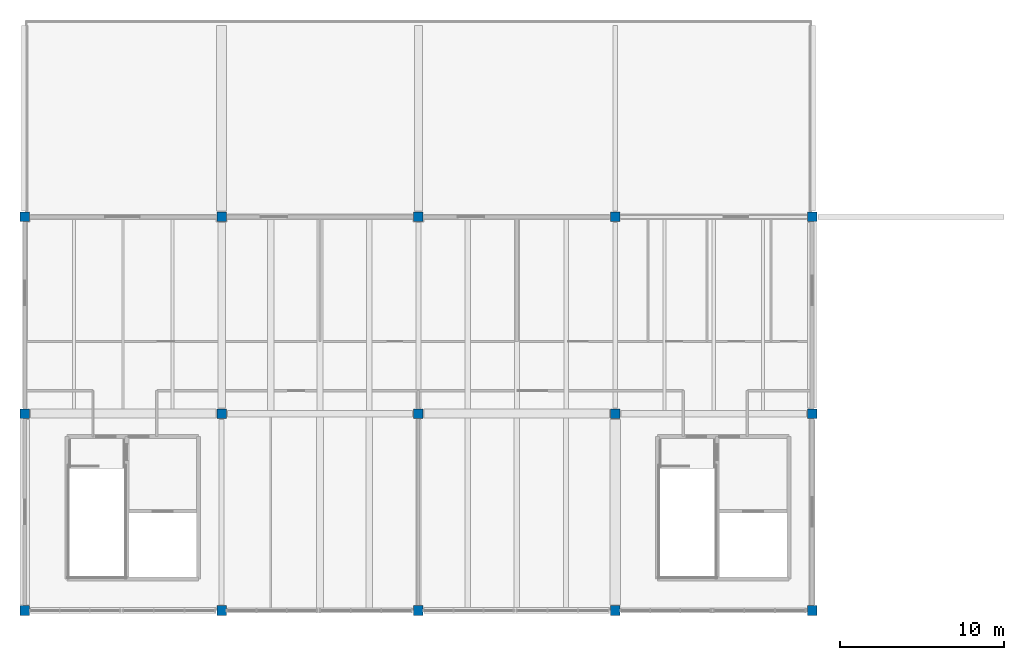
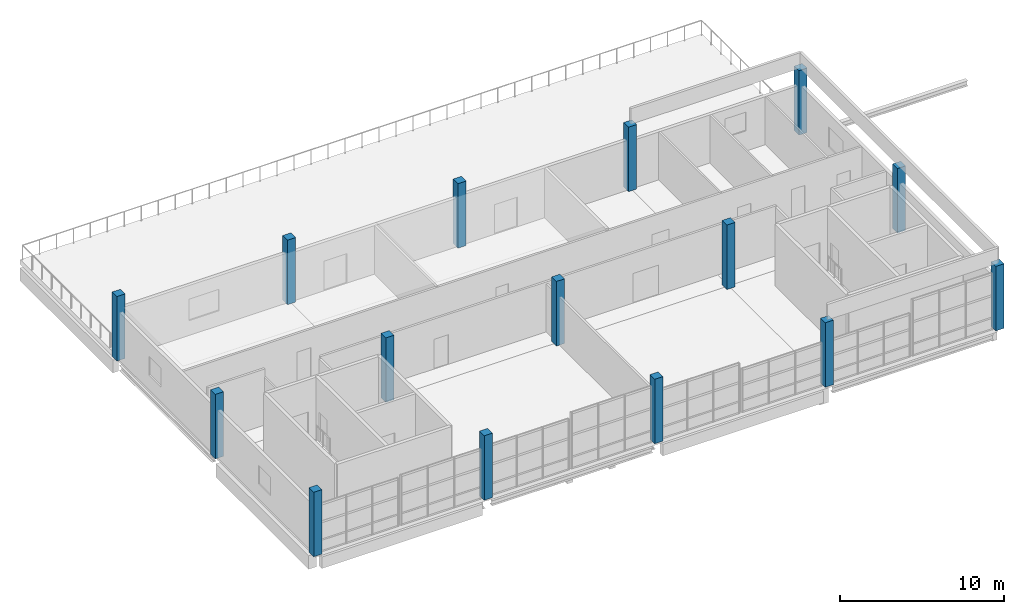
# One storey, part 1 of 8: 15 columns.
"""IFC4 building model written with IfcOpenShell, lengths in metres."""

from ifc_helpers import new_model, si_unit, direction, frame, origin, origin_2d, place, context, subcontext, project, spatial, rectangle, extrude, material, material_profile, profile_set, type_object, element, save


model = new_model("IFC4")

# Units and contexts
model_context = context("Model", 3, precision=1e-05, world=origin(), true_north=direction((0.0, 1.0)))
body_context = subcontext(model_context, "Body", "Model", "MODEL_VIEW")
ifc_project = project(units=[si_unit("LENGTHUNIT", "METRE"), si_unit("AREAUNIT", "SQUARE_METRE"), si_unit("VOLUMEUNIT", "CUBIC_METRE"), si_unit("PLANEANGLEUNIT", "RADIAN"), si_unit("MASSUNIT", "GRAM", prefix="KILO")], contexts=[model_context])

# Site, building, storey
site_placement = place(None, origin())
site = spatial("IfcSite", under=ifc_project, at=site_placement, CompositionType="ELEMENT")
building_placement = place(site_placement, origin())
building = spatial("IfcBuilding", under=site, at=building_placement, Name="Kamomehara Wholesale Market", CompositionType="ELEMENT")
storey_placement = place(building_placement, frame((0.0, 0.0, 16.199951171875)))
storey = spatial("IfcBuildingStorey", under=building, at=storey_placement, Name="L03", CompositionType="ELEMENT", Elevation=16.199951171875)

# Columns
ifc_material = material(Name="Precast concrete Fc45 (C40/50)", Category="concrete")
ifc_material_profile = material_profile(ifc_material, rectangle(XDim=0.580078125, YDim=0.580078125, at=origin_2d()), Name="PC-COL-580x580")
ifc_profile_set = profile_set([ifc_material_profile], Name="Precast concrete Fc45 (C40/50)")
column_type = type_object("IfcColumnType", Name="COL-PC580-EXT", PredefinedType="COLUMN", material=ifc_profile_set)
for number, where, z_axis, x_axis, name in (
    (1, (108.0, 12.0, 0.0), (0.0, 0.0, 1.0), (1.0, 0.0, 0.0), "Column C-17E L03"),
    (2, (108.0, 24.0, 0.0), (0.0, 0.0, 1.0), (1.0, 0.0, 0.0), "Column C-17E L03"),
    (3, (108.0, 36.0, 0.0), (0.0, 0.0, 1.0), (1.0, 0.0, 0.0), "Column C-17E L03"),
    (4, (120.0, 12.0, 0.0), (0.0, 0.0, 1.0), (1.0, 0.0, 0.0), "Column C-17E L03"),
    (5, (120.0, 24.0, 0.0), (0.0, 0.0, 1.0), (1.0, 0.0, 0.0), "Column C-17E L03"),
    (6, (120.0, 36.0, 0.0), (0.0, 0.0, 1.0), (1.0, 0.0, 0.0), "Column C-17E L03"),
    (7, (132.0, 12.0, 0.0), (0.0, 0.0, 1.0), (1.0, 0.0, 0.0), "Column C-17E L03"),
    (8, (132.0, 24.0, 0.0), (0.0, 0.0, 1.0), (1.0, 0.0, 0.0), "Column C-17E L03"),
    (9, (132.0, 36.0, 0.0), (0.0, 0.0, 1.0), (1.0, 0.0, 0.0), "Column C-17E L03"),
    (10, (144.0, 12.0, 0.0), (0.0, 0.0, 1.0), (1.0, 0.0, 0.0), "Column C-17E L03"),
    (11, (144.0, 24.0, 0.0), (0.0, 0.0, 1.0), (1.0, 0.0, 0.0), "Column C-17E L03"),
    (12, (144.0, 36.0, 0.0), (0.0, 0.0, 1.0), (1.0, 0.0, 0.0), "Column C-17E L03"),
    (13, (156.0, 12.0, 0.0), (0.0, 0.0, 1.0), (1.0, 0.0, 0.0), "Column C-17E L03"),
    (14, (156.0, 24.0, 0.0), (0.0, 0.0, 1.0), (1.0, 0.0, 0.0), "Column C-17E L03"),
    (15, (156.0, 36.0, 0.0), (0.0, 0.0, 1.0), (1.0, 0.0, 0.0), "Column C-17E L03"),
):
    element("IfcColumn", number, at=place(storey_placement, frame(where, z_axis=z_axis, x_axis=x_axis)), inside=storey, type_object=column_type, Name=name, PredefinedType="COLUMN", context=body_context, shape_type="SweptSolid", body=[
        extrude(rectangle(XDim=0.580078125, YDim=0.580078125, at=origin_2d()), origin(), (0.0, 0.0, 1.0), 4.800048828125),
    ])

save(model, "model.ifc")
